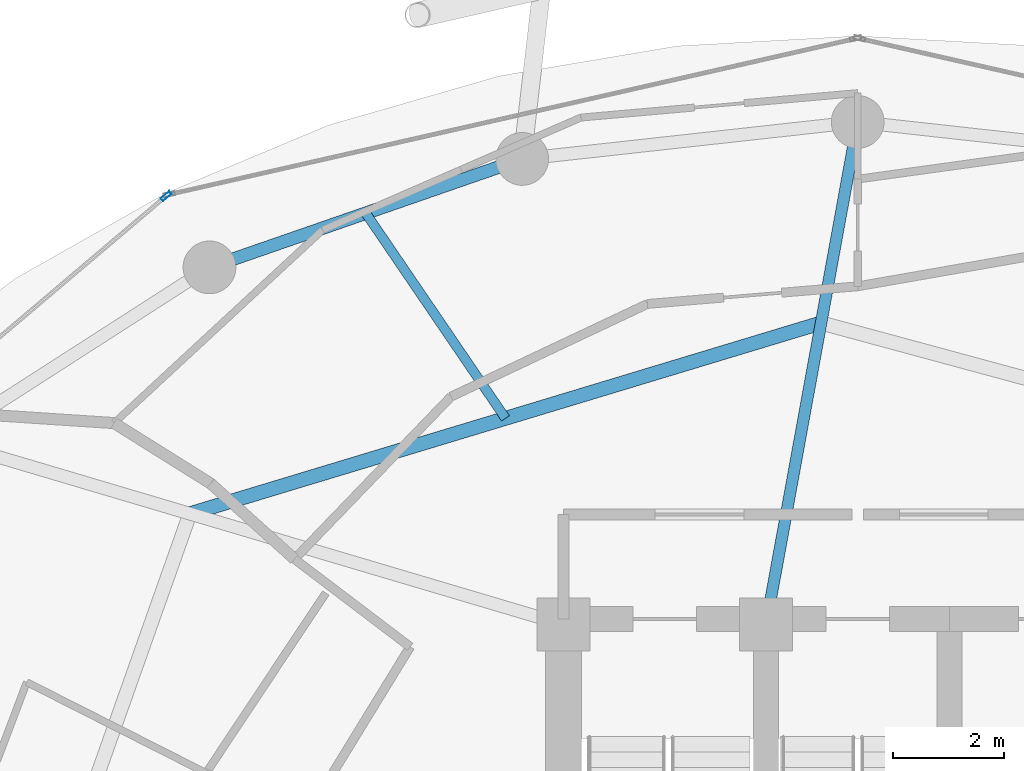
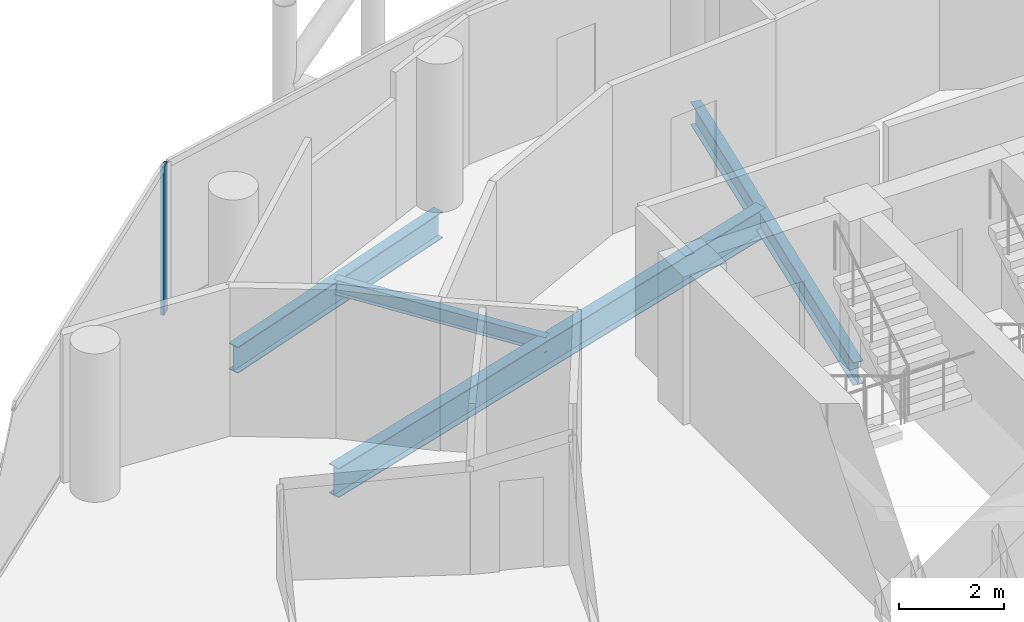
# One storey, part 15 of 26: 4 beams, 1 member, 1 element without a shape of its own.
"""IFC4 building model written with IfcOpenShell, lengths in metres."""

from ifc_helpers import new_model, si_unit, direction, frame, origin, origin_2d, place, context, subcontext, project, spatial, hollow_rectangle, i_section, extrude, material, layer, layer_set, material_profile, profile_set, type_object, element, aggregate, save


model = new_model("IFC4")

# Units and contexts
model_context = context("Model", 3, precision=1e-05, world=origin(), true_north=direction((0.0, 1.0)))
body_context = subcontext(model_context, "Body", "Model", "MODEL_VIEW")
ifc_project = project(units=[si_unit("LENGTHUNIT", "METRE"), si_unit("AREAUNIT", "SQUARE_METRE"), si_unit("VOLUMEUNIT", "CUBIC_METRE"), si_unit("PLANEANGLEUNIT", "RADIAN"), si_unit("MASSUNIT", "GRAM", prefix="KILO")], contexts=[model_context])

# Site, building, storey
site_placement = place(None, origin())
site = spatial("IfcSite", under=ifc_project, at=site_placement, CompositionType="ELEMENT")
building_placement = place(site_placement, origin())
building = spatial("IfcBuilding", under=site, at=building_placement, Name="Nuhasar Tower", CompositionType="ELEMENT")
storey_placement = place(building_placement, frame((0.0, 0.0, 162.64990234375)))
storey = spatial("IfcBuildingStorey", under=building, at=storey_placement, Name="L39", CompositionType="ELEMENT", Elevation=162.64990234375)

# Beams
ifc_material_1 = material(Name="Steel S355", Category="steel")
ifc_material_profile_1 = material_profile(ifc_material_1, i_section(OverallWidth=0.25390625, OverallDepth=0.68408203125, WebThickness=0.012451171875, FlangeThickness=0.018798828125, at=origin_2d()), Name="W27X94")
ifc_profile_set_1 = profile_set([ifc_material_profile_1], Name="Steel S355")
beam_type_1 = type_object("IfcBeamType", Name="BM-INRING-W27X94", PredefinedType="BEAM", material=ifc_profile_set_1)
beam_1_placement = place(storey_placement, frame((38.340087890625, 42.72998046875, -0.591796875), z_axis=(-0.95722440557, -0.289346569673, 0.0), x_axis=(0.289346569673, -0.95722440557, 0.0)))
element("IfcBeam", 1, at=beam_1_placement, inside=storey, type_object=beam_type_1, Name="L39 Inner Header Beam 06", PredefinedType="BEAM", context=body_context, shape_type="SweptSolid", body=[
    extrude(i_section(OverallWidth=0.25390625, OverallDepth=0.68408203125, WebThickness=0.012451171875, FlangeThickness=0.018798828125, at=origin_2d()), origin(), (0.0, 0.0, 1.0), 11.875244140625),
])
ifc_material_profile_2 = material_profile(ifc_material_1, i_section(OverallWidth=0.1708984375, OverallDepth=0.35205078125, WebThickness=0.0068359375, FlangeThickness=0.009765625, at=origin_2d()), Name="W14X30")
ifc_profile_set_2 = profile_set([ifc_material_profile_2], Name="Steel S355")
beam_type_2 = type_object("IfcBeamType", Name="BM-JST-W14X30", PredefinedType="JOIST", material=ifc_profile_set_2)
beam_2_placement = place(storey_placement, frame((32.656982421875, 41.011962890625, -0.42578125), z_axis=(-0.562802886474, 0.826591138941, 0.0), x_axis=(-0.826591138941, -0.562802886474, 0.0)))
element("IfcBeam", 2, at=beam_2_placement, inside=storey, type_object=beam_type_2, Name="L39 Secondary Floor Joist 06", PredefinedType="JOIST", context=body_context, shape_type="SweptSolid", body=[
    extrude(i_section(OverallWidth=0.1708984375, OverallDepth=0.35205078125, WebThickness=0.0068359375, FlangeThickness=0.009765625, at=origin_2d()), origin(), (0.0, 0.0, 1.0), 4.47021484375),
])
ifc_material_profile_3 = material_profile(ifc_material_1, i_section(OverallWidth=0.208984375, OverallDepth=0.532958984375, WebThickness=0.01025390625, FlangeThickness=0.015625, at=origin_2d()), Name="W21X62")
ifc_profile_set_3 = profile_set([ifc_material_profile_3], Name="Steel S355")
beam_type_3 = type_object("IfcBeamType", Name="BM-RAD-W21X62", PredefinedType="BEAM", material=ifc_profile_set_3)
beam_3_placement = place(storey_placement, frame((37.35009765625, 37.300048828125, -0.516845703125), z_axis=(0.179352509513, 0.983784873502, 0.0), x_axis=(-0.983784873502, 0.179352509513, 0.0)))
element("IfcBeam", 3, at=beam_3_placement, inside=storey, type_object=beam_type_3, Name="L39 Radial Floor Girder 06", PredefinedType="BEAM", context=body_context, shape_type="SweptSolid", body=[
    extrude(i_section(OverallWidth=0.208984375, OverallDepth=0.532958984375, WebThickness=0.01025390625, FlangeThickness=0.015625, at=origin_2d()), origin(), (0.0, 0.0, 1.0), 9.19921875),
])
ifc_material_profile_4 = material_profile(ifc_material_1, i_section(OverallWidth=0.22998046875, OverallDepth=0.616943359375, WebThickness=0.01318359375, FlangeThickness=0.022216796875, at=origin_2d()), Name="W24X94")
ifc_profile_set_4 = profile_set([ifc_material_profile_4], Name="Steel S355")
beam_type_4 = type_object("IfcBeamType", Name="BM-RING-W24X94", PredefinedType="SPANDREL", material=ifc_profile_set_4)
beam_4_placement = place(storey_placement, frame((32.95703125, 45.68408203125, -0.558837890625), z_axis=(-0.944801380051, -0.327643636066, 0.0), x_axis=(0.327643636066, -0.944801380051, 0.0)))
element("IfcBeam", 4, at=beam_4_placement, inside=storey, type_object=beam_type_4, Name="L39 Perimeter Ring Spandrel 08", PredefinedType="SPANDREL", context=body_context, shape_type="SweptSolid", body=[
    extrude(i_section(OverallWidth=0.22998046875, OverallDepth=0.616943359375, WebThickness=0.01318359375, FlangeThickness=0.022216796875, at=origin_2d()), origin(), (0.0, 0.0, 1.0), 5.961181640625),
])

# Curtain wall, member
ifc_material_2 = material(Name="Aluminium 6063-T6", Category="aluminium")
ifc_layer = layer(ifc_material_2, 0.199951171875)
ifc_layer_set = layer_set([ifc_layer], Name="Aluminium 6063-T6")
curtain_wall_type = type_object("IfcCurtainWallType", Name="CW-Z2-HTL", PredefinedType="NOTDEFINED", material=ifc_layer_set)
curtain_wall_placement = place(storey_placement, origin())
curtain_wall = element("IfcCurtainWall", 5, at=curtain_wall_placement, inside=storey, type_object=curtain_wall_type, Name="L39 Unitised Curtain Wall 05", PredefinedType="NOTDEFINED")
ifc_material_profile_5 = material_profile(ifc_material_2, hollow_rectangle(XDim=0.070068359375, YDim=0.199951171875, WallThickness=0.0048828125, at=origin_2d()), Name="CWM-3")
ifc_profile_set_5 = profile_set([ifc_material_profile_5], Name="Aluminium 6063-T6")
member_type = type_object("IfcMemberType", Name="CW-MUL-S3", PredefinedType="MULLION", material=ifc_profile_set_5)
member_placement = place(storey_placement, frame((26.543212890625, 45.015380859375, 0.0), z_axis=(0.0, 0.0, 1.0), x_axis=(0.646374438324, -0.763020370292, 0.0)))
member = element("IfcMember", 6, at=member_placement, type_object=member_type, Name="CW-Z2 mullion 1", PredefinedType="MULLION", context=body_context, shape_type="SweptSolid", body=[
    extrude(hollow_rectangle(XDim=0.070068359375, YDim=0.199951171875, WallThickness=0.0048828125, at=origin_2d()), origin(), (0.0, 0.0, 1.0), 3.4501953125),
])
aggregate(curtain_wall, [member])

save(model, "model.ifc")
